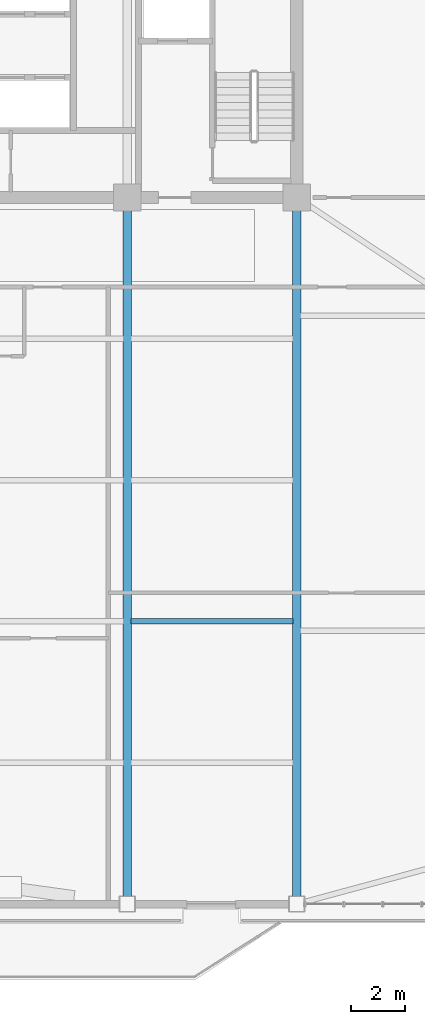
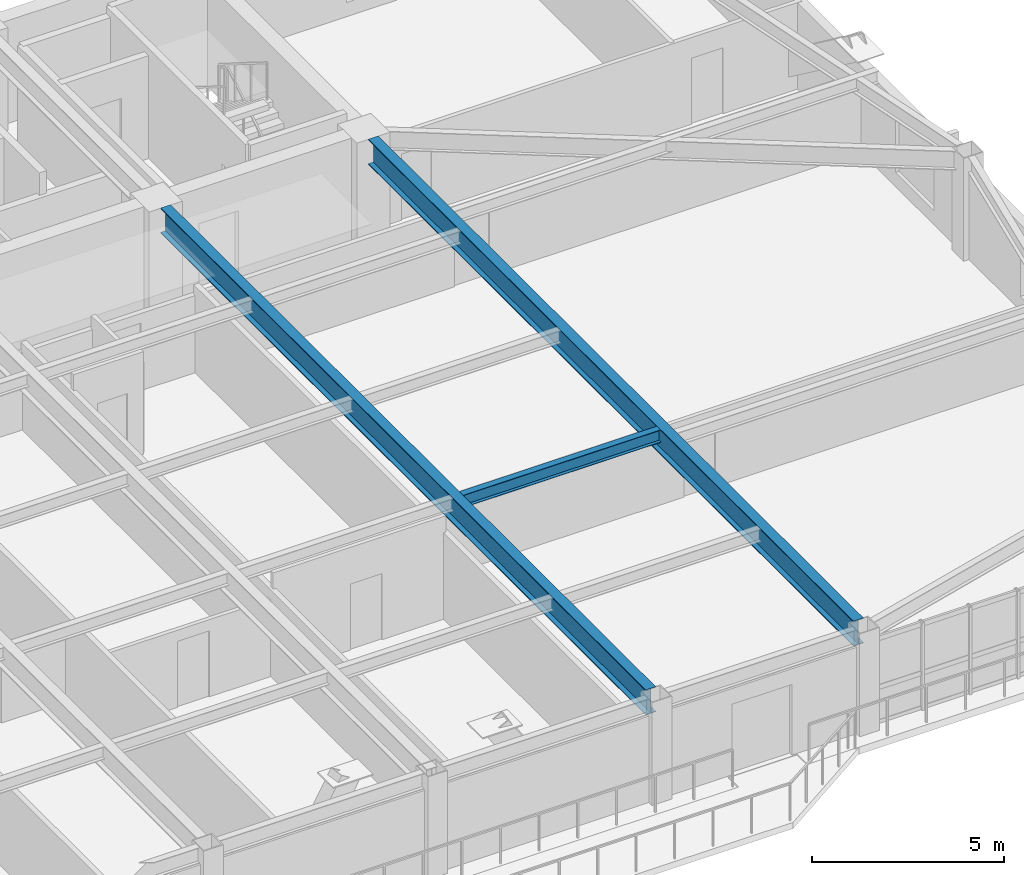
# One storey, part 5 of 17: 3 beams.
"""IFC4 building model written with IfcOpenShell, lengths in metres."""

from ifc_helpers import new_model, si_unit, direction, frame, origin, origin_2d, place, context, subcontext, project, spatial, i_section, extrude, source, transform, mapped, material, material_profile, profile_set, type_object, element, save


model = new_model("IFC4")

# Units and contexts
model_context = context("Model", 3, precision=1e-05, world=origin(), true_north=direction((0.0, 1.0)))
body_context = subcontext(model_context, "Body", "Model", "MODEL_VIEW")
ifc_project = project(units=[si_unit("LENGTHUNIT", "METRE"), si_unit("AREAUNIT", "SQUARE_METRE"), si_unit("VOLUMEUNIT", "CUBIC_METRE"), si_unit("PLANEANGLEUNIT", "RADIAN"), si_unit("MASSUNIT", "GRAM", prefix="KILO")], contexts=[model_context])

# Site, building, storey
site_placement = place(None, origin())
site = spatial("IfcSite", under=ifc_project, at=site_placement, CompositionType="ELEMENT")
building_placement = place(site_placement, origin())
building = spatial("IfcBuilding", under=site, at=building_placement, Name="Giltprow Tower", CompositionType="ELEMENT")
storey_placement = place(building_placement, frame((0.0, 0.0, 206.199951171875)))
storey = spatial("IfcBuildingStorey", under=building, at=storey_placement, Name="L52", CompositionType="ELEMENT", Elevation=206.199951171875)

# Beams
ifc_material = material(Name="Structural steel Q355B", Category="steel")
ifc_material_profile_1 = material_profile(ifc_material, i_section(OverallWidth=0.300048828125, OverallDepth=0.800048828125, WebThickness=0.013916015625, FlangeThickness=0.02587890625, at=origin_2d()), Name="HN 800x300x14x26")
ifc_profile_set_1 = profile_set([ifc_material_profile_1], Name="Structural steel Q355B")
beam_type_1 = type_object("IfcBeamType", Name="BM-GIRD-HN800", PredefinedType="BEAM", material=ifc_profile_set_1)
shared_shape_1 = source(origin(), body_context, "Body", "SweptSolid", [
    extrude(i_section(OverallWidth=0.300048828125, OverallDepth=0.800048828125, WebThickness=0.013916015625, FlangeThickness=0.02587890625, at=origin_2d()), origin(), (0.0, 0.0, 1.0), 25.294189453125),
])
for number, where, z_axis, x_axis, name in (
    (1, (44.300048828125, 11.6708984375, 2.8701171875), (0.0, 1.0, 0.0), (-1.0, 0.0, 0.0), "L52 Primary Lease Girder S3"),
    (2, (50.550048828125, 11.6708984375, 2.8701171875), (0.0, 1.0, 0.0), (-1.0, 0.0, 0.0), "L52 Primary Lease Girder S4"),
):
    element("IfcBeam", number, at=place(storey_placement, frame(where, z_axis=z_axis, x_axis=x_axis)), inside=storey, type_object=beam_type_1, Name=name, PredefinedType="BEAM", context=body_context, shape_type="MappedRepresentation", body=[
        mapped(shared_shape_1, transform((0.0, 0.0, 0.0), x_axis=(1.0, 0.0, 0.0), y_axis=(0.0, 1.0, 0.0), z_axis=(0.0, 0.0, 1.0), scale=1.0)),
    ])
ifc_material_profile_2 = material_profile(ifc_material, i_section(OverallWidth=0.199951171875, OverallDepth=0.39990234375, WebThickness=0.008056640625, FlangeThickness=0.012939453125, at=origin_2d()), Name="HN 400x200x8x13")
ifc_profile_set_2 = profile_set([ifc_material_profile_2], Name="Structural steel Q355B")
beam_type_2 = type_object("IfcBeamType", Name="BM-JOIST-HN400", PredefinedType="JOIST", material=ifc_profile_set_2)
shared_shape_2 = source(origin(), body_context, "Body", "SweptSolid", [
    extrude(i_section(OverallWidth=0.199951171875, OverallDepth=0.39990234375, WebThickness=0.008056640625, FlangeThickness=0.012939453125, at=origin_2d()), origin(), (0.0, 0.0, 1.0), 5.9599609375),
])
beam_placement = place(storey_placement, frame((44.445068359375, 21.81201171875, 3.070068359375), z_axis=(1.0, 0.0, 0.0), x_axis=(0.0, 1.0, 0.0)))
element("IfcBeam", 3, at=beam_placement, inside=storey, type_object=beam_type_2, Name="L52 Composite Floor Joist 2-4", PredefinedType="JOIST", context=body_context, shape_type="MappedRepresentation", body=[
    mapped(shared_shape_2, transform((0.0, 0.0, 0.0), x_axis=(1.0, 0.0, 0.0), y_axis=(0.0, 1.0, 0.0), z_axis=(0.0, 0.0, 1.0), scale=1.0)),
])

save(model, "model.ifc")
